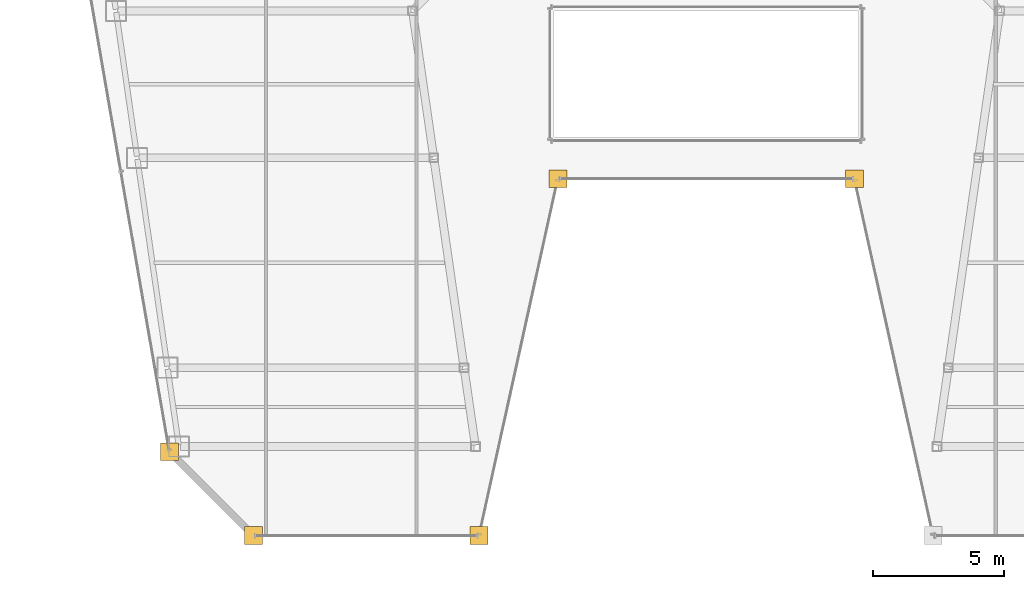
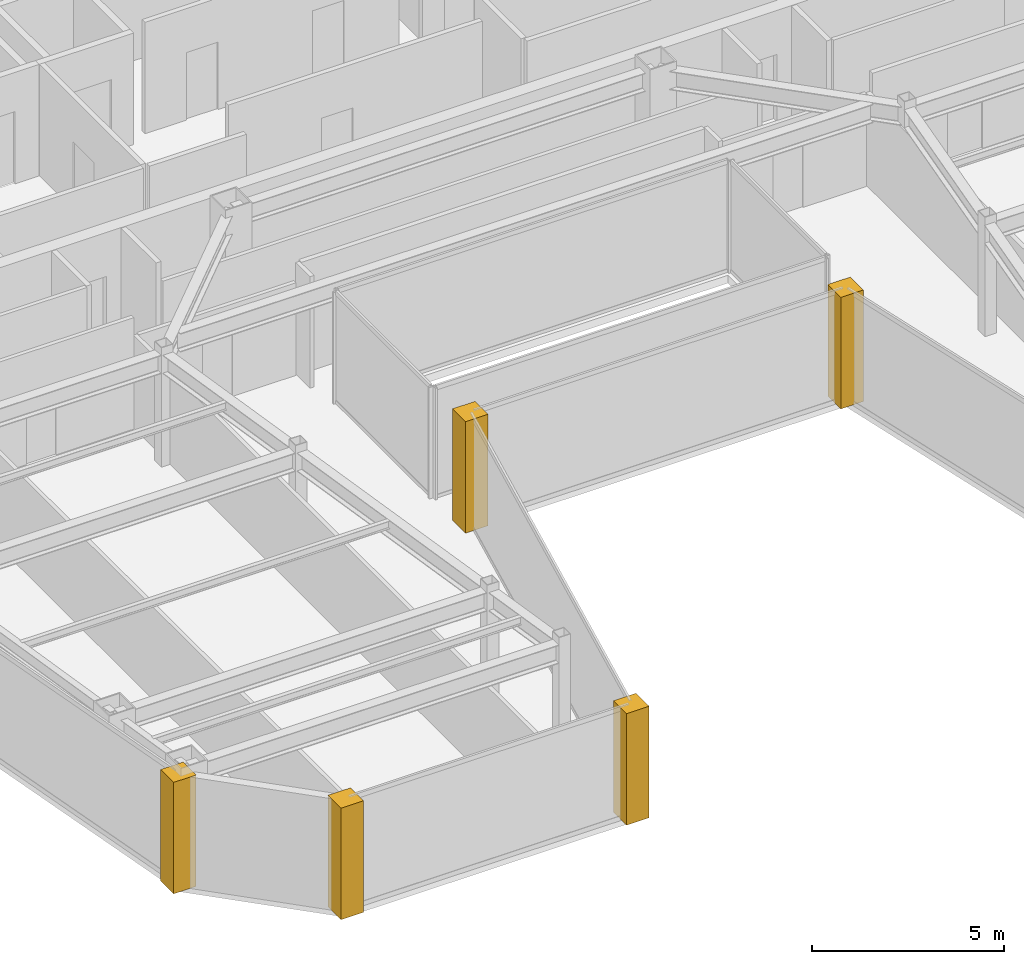
# One storey, part 29 of 32: 5 coverings.
"""IFC4 building model written with IfcOpenShell, lengths in metres."""

from ifc_helpers import new_model, si_unit, direction, frame, origin, place, context, subcontext, project, spatial, polyline, outline, extrude, material, layer, layer_set, type_object, element, save


model = new_model("IFC4")

# Units and contexts
model_context = context("Model", 3, precision=1e-05, world=origin(), true_north=direction((0.0, 1.0)))
body_context = subcontext(model_context, "Body", "Model", "MODEL_VIEW")
ifc_project = project(units=[si_unit("LENGTHUNIT", "METRE"), si_unit("AREAUNIT", "SQUARE_METRE"), si_unit("VOLUMEUNIT", "CUBIC_METRE"), si_unit("PLANEANGLEUNIT", "RADIAN"), si_unit("MASSUNIT", "GRAM", prefix="KILO")], contexts=[model_context])

# Site, building, storey
site_placement = place(None, origin())
site = spatial("IfcSite", under=ifc_project, at=site_placement, CompositionType="ELEMENT")
building_placement = place(site_placement, origin())
building = spatial("IfcBuilding", under=site, at=building_placement, Name="Saevonmaru Cultural Tower", CompositionType="ELEMENT")
storey_placement = place(building_placement, frame((0.0, 0.0, 242.0)))
storey = spatial("IfcBuildingStorey", under=building, at=storey_placement, Name="L56", CompositionType="ELEMENT", Elevation=242.0)

# Coverings
ifc_material = material(Name="Satin Bronze Anodised Aluminium", Category="aluminium")
ifc_layer = layer(ifc_material, 0.679931640625, Name="Satin Bronze Anodised Aluminium")
ifc_layer_set = layer_set([ifc_layer], Name="Satin Bronze Anodised Aluminium")
covering_type = type_object("IfcCoveringType", Name="CV-CORNER-CLAD", PredefinedType="CLADDING", material=ifc_layer_set)
covering_1_placement = place(storey_placement, origin())
element("IfcCovering", 1, at=covering_1_placement, inside=storey, type_object=covering_type, Name="L56 Tower Bronze Corner Cladding Pier 1", PredefinedType="CLADDING", context=body_context, shape_type="SweptSolid", body=[
    extrude(outline(polyline([(9.20703125, 20.4599609375), (9.886962890625, 20.4599609375), (9.886962890625, 21.139892578125), (9.20703125, 21.139892578125), (9.20703125, 20.4599609375)])), origin(), (0.0, 0.0, 1.0), 3.550048828125),
])
covering_2_placement = place(storey_placement, origin())
element("IfcCovering", 2, at=covering_2_placement, inside=storey, type_object=covering_type, Name="L56 Tower Bronze Corner Cladding Pier 2", PredefinedType="CLADDING", context=body_context, shape_type="SweptSolid", body=[
    extrude(outline(polyline([(12.406982421875, 17.260009765625), (13.0869140625, 17.260009765625), (13.0869140625, 17.93994140625), (12.406982421875, 17.93994140625), (12.406982421875, 17.260009765625)])), origin(), (0.0, 0.0, 1.0), 3.550048828125),
])
covering_3_placement = place(storey_placement, origin())
element("IfcCovering", 3, at=covering_3_placement, inside=storey, type_object=covering_type, Name="L56 Tower Bronze Corner Cladding Pier 3", PredefinedType="CLADDING", context=body_context, shape_type="SweptSolid", body=[
    extrude(outline(polyline([(21.007080078125, 17.260009765625), (21.68701171875, 17.260009765625), (21.68701171875, 17.93994140625), (21.007080078125, 17.93994140625), (21.007080078125, 17.260009765625)])), origin(), (0.0, 0.0, 1.0), 3.550048828125),
])
covering_4_placement = place(storey_placement, origin())
element("IfcCovering", 4, at=covering_4_placement, inside=storey, type_object=covering_type, Name="L56 Tower Bronze Corner Cladding Pier 4", PredefinedType="CLADDING", context=body_context, shape_type="SweptSolid", body=[
    extrude(outline(polyline([(24.007080078125, 30.860107421875), (24.68701171875, 30.860107421875), (24.68701171875, 31.5400390625), (24.007080078125, 31.5400390625), (24.007080078125, 30.860107421875)])), origin(), (0.0, 0.0, 1.0), 3.550048828125),
])
covering_5_placement = place(storey_placement, origin())
element("IfcCovering", 5, at=covering_5_placement, inside=storey, type_object=covering_type, Name="L56 Tower Bronze Corner Cladding Pier 5", PredefinedType="CLADDING", context=body_context, shape_type="SweptSolid", body=[
    extrude(outline(polyline([(35.31298828125, 30.860107421875), (35.992919921875, 30.860107421875), (35.992919921875, 31.5400390625), (35.31298828125, 31.5400390625), (35.31298828125, 30.860107421875)])), origin(), (0.0, 0.0, 1.0), 3.550048828125),
])

save(model, "model.ifc")
